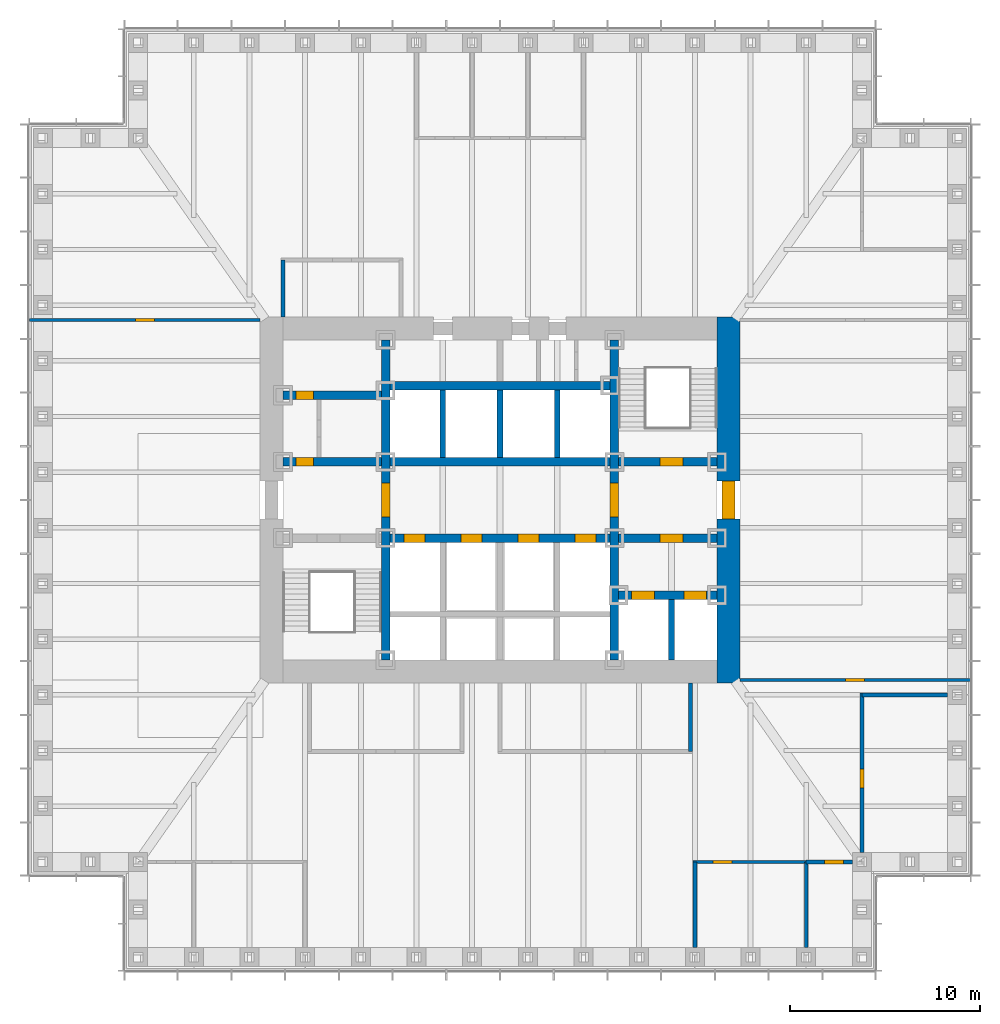
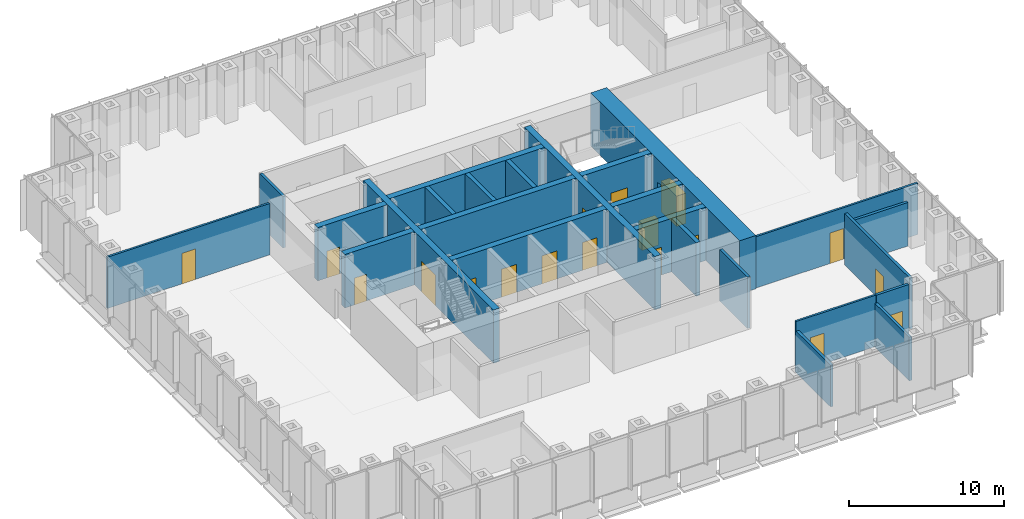
# One storey, part 9 of 16: 25 walls, 18 doors, 18 openings.
"""IFC4 building model written with IfcOpenShell, lengths in metres."""

import ifcopenshell
import ifcopenshell.guid

model = None  # the IFC model being written
_history = None  # IfcOwnerHistory: only IFC2X3 demands one
_inside = {}  # id of a spatial element -> (the spatial element, [elements in it])
_under = {}  # id of a project, library or spatial element -> (it, [spatial elements below it])
_declared = {}  # id of a project -> (the project, [libraries it declares])
_typed = {}  # id of a type object -> (the type object, [elements of that type])
_made_of = {}  # id of a material, layer set ... -> (it, [elements and type objects made of it])


def new_model(schema):
    """Start an empty IFC model of exactly this schema.

    Asked for "IFC4X3", IfcOpenShell would pick the latest addendum, in which some entities
    have other attributes; the version numbers below select the first issue.
    IFC2X3 requires an IfcOwnerHistory on every rooted entity: one is made here for all.
    """
    global model, _history
    if schema == "IFC4X3":
        model = ifcopenshell.file(schema_version=(4, 3, 0, 0))
    else:
        model = ifcopenshell.file(schema=schema)
    _inside.clear()
    _under.clear()
    _declared.clear()
    _typed.clear()
    _made_of.clear()
    _history = None
    if model.schema == "IFC2X3":
        org = make("IfcOrganization", Name="unknown")
        user = make(
            "IfcPersonAndOrganization",
            ThePerson=make("IfcPerson", FamilyName="unknown"),
            TheOrganization=org,
        )
        app = make(
            "IfcApplication",
            ApplicationDeveloper=org,
            Version="unknown",
            ApplicationFullName="unknown",
            ApplicationIdentifier="unknown",
        )
        _history = make(
            "IfcOwnerHistory",
            OwningUser=user,
            OwningApplication=app,
            ChangeAction="ADDED",
            CreationDate=0,
        )
    return model


def make(cls, **values):
    """One entity of the class cls with the attributes given. An attribute that is None is left unset."""
    return model.create_entity(
        cls, **{name: value for name, value in values.items() if value is not None}
    )


def rooted(cls, **values):
    """An entity with a GlobalId (a new one), such as an element, a storey or a relation."""
    return make(cls, GlobalId=ifcopenshell.guid.new(), OwnerHistory=_history, **values)


def si_unit(unit_type, name, prefix=None):
    """IfcSIUnit, for example si_unit("LENGTHUNIT", "METRE", prefix="MILLI")."""
    return make("IfcSIUnit", UnitType=unit_type, Prefix=prefix, Name=name)


def assignment(units):
    """IfcUnitAssignment: the units of a project."""
    return None if units is None else make("IfcUnitAssignment", Units=units)


def point(xyz):
    """IfcCartesianPoint."""
    return None if xyz is None else make("IfcCartesianPoint", Coordinates=xyz)


def direction(xyz):
    """IfcDirection."""
    return None if xyz is None else make("IfcDirection", DirectionRatios=xyz)


def frame(location, z_axis=None, x_axis=None):
    """IfcAxis2Placement3D, a coordinate frame: its origin and axes. An axis left out is left unset."""
    return make(
        "IfcAxis2Placement3D",
        Location=point(location),
        Axis=direction(z_axis),
        RefDirection=direction(x_axis),
    )


def frame_2d(location, x_axis=None):
    """IfcAxis2Placement2D, a coordinate frame in the plane: its origin and x axis."""
    return make(
        "IfcAxis2Placement2D", Location=point(location), RefDirection=direction(x_axis)
    )


def origin():
    """The frame at (0, 0, 0) with its axes left unset."""
    return frame((0.0, 0.0, 0.0))


def place(relative_to, where):
    """IfcLocalPlacement: puts the frame where relative to a parent placement (None: the world)."""
    return make(
        "IfcLocalPlacement", PlacementRelTo=relative_to, RelativePlacement=where
    )


def context(
    kind, dimensions, precision=None, world=None, true_north=None, identifier=None
):
    """IfcGeometricRepresentationContext, for example the 3D "Model" context."""
    return make(
        "IfcGeometricRepresentationContext",
        ContextIdentifier=identifier,
        ContextType=kind,
        CoordinateSpaceDimension=dimensions,
        Precision=precision,
        WorldCoordinateSystem=world,
        TrueNorth=true_north,
    )


def subcontext(parent, identifier, kind, view, scale=None):
    """IfcGeometricRepresentationSubContext, for example "Body" below "Model"."""
    return make(
        "IfcGeometricRepresentationSubContext",
        ContextIdentifier=identifier,
        ContextType=kind,
        ParentContext=parent,
        TargetScale=scale,
        TargetView=view,
    )


def project(units=None, contexts=None):
    """IfcProject with its units and contexts."""
    return rooted(
        "IfcProject",
        Name="project",
        RepresentationContexts=contexts,
        UnitsInContext=assignment(units),
    )


def spatial(cls, under=None, at=None, **own):
    """A site, building, storey or space (cls), placed at a placement, below another one or the project."""
    s = rooted(cls, ObjectPlacement=at, **own)
    if under is not None:
        _under.setdefault(under.id(), (under, []))[1].append(s)
    return s


def profile(cls, at=None, kind="AREA", **sizes):
    """A parametric profile (cls). Its sizes go by their IFC names, for example OverallWidth=200.0."""
    return make(cls, ProfileType=kind, Position=at, **sizes)


def rectangle(**sizes):
    """IfcRectangleProfileDef."""
    return profile("IfcRectangleProfileDef", **sizes)


def extrude(swept, where, along, depth):
    """IfcExtrudedAreaSolid: the profile swept, set in the frame where, extruded along a direction by depth."""
    return make(
        "IfcExtrudedAreaSolid",
        SweptArea=swept,
        Position=where,
        ExtrudedDirection=direction(along),
        Depth=depth,
    )


def shape(context_of_items, identifier, shape_type, items):
    """IfcShapeRepresentation: the items that make up one representation, for example the "Body"."""
    return make(
        "IfcShapeRepresentation",
        ContextOfItems=context_of_items,
        RepresentationIdentifier=identifier,
        RepresentationType=shape_type,
        Items=items,
    )


def material(Name=None, Category=None):
    """IfcMaterial."""
    return make("IfcMaterial", Name=Name, Category=Category)


def layer(
    of_material, thickness, ventilated=None, Name=None, Category=None, Priority=None
):
    """IfcMaterialLayer: one layer of a wall or slab, of a material (None: an air gap)."""
    return make(
        "IfcMaterialLayer",
        Material=of_material,
        LayerThickness=thickness,
        IsVentilated=ventilated,
        Name=Name,
        Category=Category,
        Priority=Priority,
    )


def layer_set(layers, Name=None):
    """IfcMaterialLayerSet."""
    return make("IfcMaterialLayerSet", MaterialLayers=layers, LayerSetName=Name)


def made_of(thing, what):
    """Note that an element or type object is made of a material, layer set ...; save() writes the relation."""
    if what is not None:
        _made_of.setdefault(what.id(), (what, []))[1].append(thing)
    return thing


def type_object(cls, material=None, **own):
    """A type object (cls), such as IfcWallType, which elements share."""
    return made_of(rooted(cls, **own), material)


def element(
    cls,
    number,
    at=None,
    inside=None,
    cuts=None,
    type_object=None,
    material=None,
    context=None,
    identifier="Body",
    shape_type=None,
    held_by="IfcProductDefinitionShape",
    body=None,
    shapes=None,
    **own,
):
    """One element of the class cls, such as IfcWall. Its Tag is "e" and its number.

    at: its placement. inside: the storey or other place that contains it. cuts: it is an
    opening in that element (IfcRelVoidsElement). A single representation is given by context,
    identifier, shape_type and body (its items); several are given by shapes. held_by: the class
    of the entity that holds the representations. save() writes the other relations.
    """
    e = rooted(cls, Tag="e%d" % number, ObjectPlacement=at, **own)
    if body is not None:
        shapes = [shape(context, identifier, shape_type, body)]
    if shapes is not None:
        e.Representation = make(held_by, Representations=shapes)
    if inside is not None:
        _inside.setdefault(inside.id(), (inside, []))[1].append(e)
    if cuts is not None:
        rooted(
            "IfcRelVoidsElement", RelatingBuildingElement=cuts, RelatedOpeningElement=e
        )
    if type_object is not None:
        _typed.setdefault(type_object.id(), (type_object, []))[1].append(e)
    return made_of(e, material)


def fill(opening, filler):
    """IfcRelFillsElement: the door or window that sits in an opening."""
    return rooted(
        "IfcRelFillsElement",
        RelatingOpeningElement=opening,
        RelatedBuildingElement=filler,
    )


def aggregate(whole, parts):
    """IfcRelAggregates: a whole, such as a stair, and the parts it consists of."""
    return rooted("IfcRelAggregates", RelatingObject=whole, RelatedObjects=parts)


def save(model, path):
    """Write the relations noted so far, then the file.

    IfcRelAggregates (storeys below a building ...), IfcRelContainedInSpatialStructure (elements
    in a storey), IfcRelDefinesByType, IfcRelAssociatesMaterial and IfcRelDeclares: one each for
    every whole, place, type object, material and project.
    """
    for whole, parts in _under.values():
        aggregate(whole, parts)
    for where, things in _inside.values():
        rooted(
            "IfcRelContainedInSpatialStructure",
            RelatedElements=things,
            RelatingStructure=where,
        )
    for kind, things in _typed.values():
        rooted("IfcRelDefinesByType", RelatedObjects=things, RelatingType=kind)
    for what, things in _made_of.values():
        rooted("IfcRelAssociatesMaterial", RelatedObjects=things, RelatingMaterial=what)
    for by, libraries in _declared.values():
        rooted("IfcRelDeclares", RelatingContext=by, RelatedDefinitions=libraries)
    model.write(path)


model = new_model("IFC4")

# Units and contexts
model_context = context("Model", 3, precision=1e-05, world=origin(), true_north=direction((0.0, 1.0)))
body_context = subcontext(model_context, "Body", "Model", "MODEL_VIEW")
ifc_project = project(units=[si_unit("LENGTHUNIT", "METRE"), si_unit("AREAUNIT", "SQUARE_METRE"), si_unit("VOLUMEUNIT", "CUBIC_METRE"), si_unit("PLANEANGLEUNIT", "RADIAN"), si_unit("MASSUNIT", "GRAM", prefix="KILO")], contexts=[model_context])

# Site, building, storey
site_placement = place(None, origin())
site = spatial("IfcSite", under=ifc_project, at=site_placement, CompositionType="ELEMENT")
building_placement = place(site_placement, origin())
building = spatial("IfcBuilding", under=site, at=building_placement, Name="Daluyong Arena Tower", CompositionType="ELEMENT")
storey_placement = place(building_placement, frame((0.0, 0.0, 43.300048828125)))
storey = spatial("IfcBuildingStorey", under=building, at=storey_placement, Name="L08", CompositionType="ELEMENT", Elevation=43.300048828125)

# Wall, opening, door
ifc_material_1 = material(Name="Concrete fc' 45 MPa", Category="concrete")
ifc_layer_1 = layer(ifc_material_1, 0.449951171875)
ifc_layer_set_1 = layer_set([ifc_layer_1], Name="Concrete fc' 45 MPa")
wall_type_1 = type_object("IfcWallType", Name="Core inner wall 450", PredefinedType="SHEAR", material=ifc_layer_set_1)
wall_1_placement = place(storey_placement, frame((50.0, 71.60009765625, 0.0), z_axis=(0.0, 0.0, 1.0), x_axis=(0.0, 1.0, 0.0)))
wall_1 = element("IfcWall", 1, at=wall_1_placement, inside=storey, type_object=wall_type_1, Name="core inner wall at L08", PredefinedType="SHEAR", context=body_context, shape_type="SweptSolid", body=[
    extrude(rectangle(XDim=16.7998046875, YDim=0.449951171875, at=frame_2d((8.39990234375, 0.0))), origin(), (0.0, 0.0, 1.0), 4.199951171875),
])
opening_1_placement = place(wall_1_placement, frame((7.5, 0.0, 0.0)))
opening_1 = element("IfcOpeningElement", 2, at=opening_1_placement, cuts=wall_1, Name="Opening 08012", PredefinedType="OPENING", context=body_context, shape_type="SweptSolid", body=[
    extrude(rectangle(XDim=1.800048828125, YDim=2.39990234375, at=frame_2d((0.89990234375, 1.199951171875))), frame((0.0, 0.23486328125, 0.0), z_axis=(0.0, -1.0, 0.0), x_axis=(1.0, 0.0, 0.0)), (0.0, 0.0, 1.0), 0.469970703125),
])
ifc_material_2 = material(Name="Steel door, fire rated", Category="steel")
door_type_1 = type_object("IfcDoorType", Name="Lift lobby opening door 1800", OperationType="DOUBLE_DOOR_SINGLE_SWING", PredefinedType="DOOR", material=ifc_material_2)
door_1_placement = place(opening_1_placement, origin())
door_1 = element("IfcDoor", 3, at=door_1_placement, inside=storey, type_object=door_type_1, Name="lift lobby door west 08012", OperationType="DOUBLE_DOOR_SINGLE_SWING", OverallHeight=2.39990234375, OverallWidth=1.800048828125, PredefinedType="DOOR", context=body_context, shape_type="SweptSolid", body=[
    extrude(rectangle(XDim=1.800048828125, YDim=2.39990234375, at=frame_2d((0.89990234375, 1.199951171875))), frame((0.0, 0.224609375, 0.0), z_axis=(0.0, -1.0, 0.0), x_axis=(1.0, 0.0, 0.0)), (0.0, 0.0, 1.0), 0.449462890625),
])
fill(opening_1, door_1)

wall_2_placement = place(storey_placement, frame((62.0, 71.60009765625, 0.0), z_axis=(0.0, 0.0, 1.0), x_axis=(0.0, 1.0, 0.0)))
wall_2 = element("IfcWall", 4, at=wall_2_placement, inside=storey, type_object=wall_type_1, Name="core inner wall at L08", PredefinedType="SHEAR", context=body_context, shape_type="SweptSolid", body=[
    extrude(rectangle(XDim=16.7998046875, YDim=0.449951171875, at=frame_2d((8.39990234375, 0.0))), origin(), (0.0, 0.0, 1.0), 4.199951171875),
])
opening_2_placement = place(wall_2_placement, frame((7.5, 0.0, 0.0)))
opening_2 = element("IfcOpeningElement", 5, at=opening_2_placement, cuts=wall_2, Name="Opening 08013", PredefinedType="OPENING", context=body_context, shape_type="SweptSolid", body=[
    extrude(rectangle(XDim=1.800048828125, YDim=2.39990234375, at=frame_2d((0.89990234375, 1.199951171875))), frame((0.0, 0.23486328125, 0.0), z_axis=(0.0, -1.0, 0.0), x_axis=(1.0, 0.0, 0.0)), (0.0, 0.0, 1.0), 0.469970703125),
])
door_2_placement = place(opening_2_placement, origin())
door_2 = element("IfcDoor", 6, at=door_2_placement, inside=storey, type_object=door_type_1, Name="lift lobby door east 08013", OperationType="DOUBLE_DOOR_SINGLE_SWING", OverallHeight=2.39990234375, OverallWidth=1.800048828125, PredefinedType="DOOR", context=body_context, shape_type="SweptSolid", body=[
    extrude(rectangle(XDim=1.800048828125, YDim=2.39990234375, at=frame_2d((0.89990234375, 1.199951171875))), frame((0.0, 0.224609375, 0.0), z_axis=(0.0, -1.0, 0.0), x_axis=(1.0, 0.0, 0.0)), (0.0, 0.0, 1.0), 0.449462890625),
])
fill(opening_2, door_2)

wall_3_placement = place(storey_placement, frame((44.60009765625, 82.0, 0.0), z_axis=(0.0, 0.0, 1.0), x_axis=(1.0, 0.0, 0.0)))
wall_3 = element("IfcWall", 7, at=wall_3_placement, inside=storey, type_object=wall_type_1, Name="core inner wall at L08", PredefinedType="SHEAR", context=body_context, shape_type="SweptSolid", body=[
    extrude(rectangle(XDim=5.1748046875, YDim=0.449951171875, at=frame_2d((2.58740234375, 0.0))), origin(), (0.0, 0.0, 1.0), 4.199951171875),
])
opening_3_placement = place(wall_3_placement, frame((0.699951171875, 0.0, 0.0)))
opening_3 = element("IfcOpeningElement", 8, at=opening_3_placement, cuts=wall_3, Name="Opening 08001", PredefinedType="OPENING", context=body_context, shape_type="SweptSolid", body=[
    extrude(rectangle(XDim=0.89990234375, YDim=2.10009765625, at=frame_2d((0.449951171875, 1.050048828125))), frame((0.0, 0.23486328125, 0.0), z_axis=(0.0, -1.0, 0.0), x_axis=(1.0, 0.0, 0.0)), (0.0, 0.0, 1.0), 0.469970703125),
])
ifc_material_3 = material(Name="Steel door, fire rated", Category="steel")
door_type_2 = type_object("IfcDoorType", Name="Core room door 900", OperationType="SINGLE_SWING_LEFT", PredefinedType="DOOR", material=ifc_material_3)
door_3_placement = place(opening_3_placement, origin())
door_3 = element("IfcDoor", 9, at=door_3_placement, inside=storey, type_object=door_type_2, Name="toilet lobby door 08001", OperationType="SINGLE_SWING_LEFT", OverallHeight=2.10009765625, OverallWidth=0.89990234375, PredefinedType="DOOR", context=body_context, shape_type="SweptSolid", body=[
    extrude(rectangle(XDim=0.89990234375, YDim=2.10009765625, at=frame_2d((0.449951171875, 1.050048828125))), frame((0.0, 0.224609375, 0.0), z_axis=(0.0, -1.0, 0.0), x_axis=(1.0, 0.0, 0.0)), (0.0, 0.0, 1.0), 0.449462890625),
])
fill(opening_3, door_3)

wall_4_placement = place(storey_placement, frame((44.60009765625, 85.5, 0.0), z_axis=(0.0, 0.0, 1.0), x_axis=(1.0, 0.0, 0.0)))
wall_4 = element("IfcWall", 10, at=wall_4_placement, inside=storey, type_object=wall_type_1, Name="core inner wall at L08", PredefinedType="SHEAR", context=body_context, shape_type="SweptSolid", body=[
    extrude(rectangle(XDim=5.1748046875, YDim=0.449951171875, at=frame_2d((2.58740234375, 0.0))), origin(), (0.0, 0.0, 1.0), 4.199951171875),
])
opening_4_placement = place(wall_4_placement, frame((0.699951171875, 0.0, 0.0)))
opening_4 = element("IfcOpeningElement", 11, at=opening_4_placement, cuts=wall_4, Name="Opening 08003", PredefinedType="OPENING", context=body_context, shape_type="SweptSolid", body=[
    extrude(rectangle(XDim=0.89990234375, YDim=2.10009765625, at=frame_2d((0.449951171875, 1.050048828125))), frame((0.0, 0.23486328125, 0.0), z_axis=(0.0, -1.0, 0.0), x_axis=(1.0, 0.0, 0.0)), (0.0, 0.0, 1.0), 0.469970703125),
])
ifc_material_4 = material(Name="Timber door", Category="wood")
door_type_3 = type_object("IfcDoorType", Name="Toilet door 900", OperationType="SINGLE_SWING_RIGHT", PredefinedType="DOOR", material=ifc_material_4)
door_4_placement = place(opening_4_placement, origin())
door_4 = element("IfcDoor", 12, at=door_4_placement, inside=storey, type_object=door_type_3, Name="female toilet door 08003", OperationType="SINGLE_SWING_RIGHT", OverallHeight=2.10009765625, OverallWidth=0.89990234375, PredefinedType="DOOR", context=body_context, shape_type="SweptSolid", body=[
    extrude(rectangle(XDim=0.89990234375, YDim=2.10009765625, at=frame_2d((0.449951171875, 1.050048828125))), frame((0.0, 0.224609375, 0.0), z_axis=(0.0, -1.0, 0.0), x_axis=(1.0, 0.0, 0.0)), (0.0, 0.0, 1.0), 0.449462890625),
])
fill(opening_4, door_4)

# Wall, openings, doors
wall_5_placement = place(storey_placement, frame((62.22509765625, 75.0, 0.0), z_axis=(0.0, 0.0, 1.0), x_axis=(1.0, 0.0, 0.0)))
wall_5 = element("IfcWall", 13, at=wall_5_placement, inside=storey, type_object=wall_type_1, Name="core inner wall at L08", PredefinedType="SHEAR", context=body_context, shape_type="SweptSolid", body=[
    extrude(rectangle(XDim=5.1748046875, YDim=0.449951171875, at=frame_2d((2.58740234375, 0.0))), origin(), (0.0, 0.0, 1.0), 4.199951171875),
])
opening_5_placement = place(wall_5_placement, frame((0.675048828125, 0.0, 0.0)))
opening_5 = element("IfcOpeningElement", 14, at=opening_5_placement, cuts=wall_5, Name="Opening 08019", PredefinedType="OPENING", context=body_context, shape_type="SweptSolid", body=[
    extrude(rectangle(XDim=1.199951171875, YDim=2.199951171875, at=frame_2d((0.60009765625, 1.10009765625))), frame((0.0, 0.23486328125, 0.0), z_axis=(0.0, -1.0, 0.0), x_axis=(1.0, 0.0, 0.0)), (0.0, 0.0, 1.0), 0.469970703125),
])
opening_6_placement = place(wall_5_placement, frame((3.425048828125, 0.0, 0.0)))
opening_6 = element("IfcOpeningElement", 15, at=opening_6_placement, cuts=wall_5, Name="Opening 08020", PredefinedType="OPENING", context=body_context, shape_type="SweptSolid", body=[
    extrude(rectangle(XDim=1.199951171875, YDim=2.199951171875, at=frame_2d((0.60009765625, 1.10009765625))), frame((0.0, 0.23486328125, 0.0), z_axis=(0.0, -1.0, 0.0), x_axis=(1.0, 0.0, 0.0)), (0.0, 0.0, 1.0), 0.469970703125),
])
ifc_material_5 = material(Name="Steel door, fire rated", Category="steel")
door_type_4 = type_object("IfcDoorType", Name="Firefighting lift landing door 1200", OperationType="SLIDING_TO_LEFT", PredefinedType="DOOR", material=ifc_material_5)
door_5_placement = place(opening_5_placement, origin())
door_5 = element("IfcDoor", 16, at=door_5_placement, inside=storey, type_object=door_type_4, Name="firefighting lift landing door F1 08019", OperationType="SLIDING_TO_LEFT", OverallHeight=2.199951171875, OverallWidth=1.199951171875, PredefinedType="DOOR", context=body_context, shape_type="SweptSolid", body=[
    extrude(rectangle(XDim=1.199951171875, YDim=2.199951171875, at=frame_2d((0.60009765625, 1.10009765625))), frame((0.0, 0.224609375, 0.0), z_axis=(0.0, -1.0, 0.0), x_axis=(1.0, 0.0, 0.0)), (0.0, 0.0, 1.0), 0.449462890625),
])
fill(opening_5, door_5)
door_6_placement = place(opening_6_placement, origin())
door_6 = element("IfcDoor", 17, at=door_6_placement, inside=storey, type_object=door_type_4, Name="firefighting lift landing door F2 08020", OperationType="SLIDING_TO_LEFT", OverallHeight=2.199951171875, OverallWidth=1.199951171875, PredefinedType="DOOR", context=body_context, shape_type="SweptSolid", body=[
    extrude(rectangle(XDim=1.199951171875, YDim=2.199951171875, at=frame_2d((0.60009765625, 1.10009765625))), frame((0.0, 0.224609375, 0.0), z_axis=(0.0, -1.0, 0.0), x_axis=(1.0, 0.0, 0.0)), (0.0, 0.0, 1.0), 0.449462890625),
])
fill(opening_6, door_6)

# Wall, opening, door
wall_6_placement = place(storey_placement, frame((62.22509765625, 78.0, 0.0), z_axis=(0.0, 0.0, 1.0), x_axis=(1.0, 0.0, 0.0)))
wall_6 = element("IfcWall", 18, at=wall_6_placement, inside=storey, type_object=wall_type_1, Name="core inner wall at L08", PredefinedType="SHEAR", context=body_context, shape_type="SweptSolid", body=[
    extrude(rectangle(XDim=5.1748046875, YDim=0.449951171875, at=frame_2d((2.58740234375, 0.0))), origin(), (0.0, 0.0, 1.0), 4.199951171875),
])
opening_7_placement = place(wall_6_placement, frame((2.175048828125, 0.0, 0.0)))
opening_7 = element("IfcOpeningElement", 19, at=opening_7_placement, cuts=wall_6, Name="Opening 08014", PredefinedType="OPENING", context=body_context, shape_type="SweptSolid", body=[
    extrude(rectangle(XDim=1.199951171875, YDim=2.10009765625, at=frame_2d((0.60009765625, 1.050048828125))), frame((0.0, 0.23486328125, 0.0), z_axis=(0.0, -1.0, 0.0), x_axis=(1.0, 0.0, 0.0)), (0.0, 0.0, 1.0), 0.469970703125),
])
ifc_material_6 = material(Name="Steel door, fire rated", Category="steel")
door_type_5 = type_object("IfcDoorType", Name="Firefighting lobby door 1200", OperationType="SINGLE_SWING_RIGHT", PredefinedType="DOOR", material=ifc_material_6)
door_7_placement = place(opening_7_placement, origin())
door_7 = element("IfcDoor", 20, at=door_7_placement, inside=storey, type_object=door_type_5, Name="firefighting lobby door 08014", OperationType="SINGLE_SWING_RIGHT", OverallHeight=2.10009765625, OverallWidth=1.199951171875, PredefinedType="DOOR", context=body_context, shape_type="SweptSolid", body=[
    extrude(rectangle(XDim=1.199951171875, YDim=2.10009765625, at=frame_2d((0.60009765625, 1.050048828125))), frame((0.0, 0.224609375, 0.0), z_axis=(0.0, -1.0, 0.0), x_axis=(1.0, 0.0, 0.0)), (0.0, 0.0, 1.0), 0.449462890625),
])
fill(opening_7, door_7)

wall_7_placement = place(storey_placement, frame((62.22509765625, 82.0, 0.0), z_axis=(0.0, 0.0, 1.0), x_axis=(1.0, 0.0, 0.0)))
wall_7 = element("IfcWall", 21, at=wall_7_placement, inside=storey, type_object=wall_type_1, Name="core inner wall at L08", PredefinedType="SHEAR", context=body_context, shape_type="SweptSolid", body=[
    extrude(rectangle(XDim=5.1748046875, YDim=0.449951171875, at=frame_2d((2.58740234375, 0.0))), origin(), (0.0, 0.0, 1.0), 4.199951171875),
])
opening_8_placement = place(wall_7_placement, frame((2.175048828125, 0.0, 0.0)))
opening_8 = element("IfcOpeningElement", 22, at=opening_8_placement, cuts=wall_7, Name="Opening 08009", PredefinedType="OPENING", context=body_context, shape_type="SweptSolid", body=[
    extrude(rectangle(XDim=1.199951171875, YDim=2.10009765625, at=frame_2d((0.60009765625, 1.050048828125))), frame((0.0, 0.23486328125, 0.0), z_axis=(0.0, -1.0, 0.0), x_axis=(1.0, 0.0, 0.0)), (0.0, 0.0, 1.0), 0.469970703125),
])
ifc_material_7 = material(Name="Steel door, fire rated", Category="steel")
door_type_6 = type_object("IfcDoorType", Name="Stair door 1200", OperationType="SINGLE_SWING_LEFT", PredefinedType="DOOR", material=ifc_material_7)
door_8_placement = place(opening_8_placement, origin())
door_8 = element("IfcDoor", 23, at=door_8_placement, inside=storey, type_object=door_type_6, Name="stair B door 08009", OperationType="SINGLE_SWING_LEFT", OverallHeight=2.10009765625, OverallWidth=1.199951171875, PredefinedType="DOOR", context=body_context, shape_type="SweptSolid", body=[
    extrude(rectangle(XDim=1.199951171875, YDim=2.10009765625, at=frame_2d((0.60009765625, 1.050048828125))), frame((0.0, 0.224609375, 0.0), z_axis=(0.0, -1.0, 0.0), x_axis=(1.0, 0.0, 0.0)), (0.0, 0.0, 1.0), 0.449462890625),
])
fill(opening_8, door_8)

# Wall, openings, doors
wall_8_placement = place(storey_placement, frame((50.22509765625, 78.0, 0.0), z_axis=(0.0, 0.0, 1.0), x_axis=(1.0, 0.0, 0.0)))
wall_8 = element("IfcWall", 24, at=wall_8_placement, inside=storey, type_object=wall_type_1, Name="core inner wall at L08", PredefinedType="SHEAR", context=body_context, shape_type="SweptSolid", body=[
    extrude(rectangle(XDim=11.5498046875, YDim=0.449951171875, at=frame_2d((5.77490234375, 0.0))), origin(), (0.0, 0.0, 1.0), 4.199951171875),
])
opening_9_placement = place(wall_8_placement, frame((0.72509765625, 0.0, 0.0)))
opening_9 = element("IfcOpeningElement", 25, at=opening_9_placement, cuts=wall_8, Name="Opening 08015", PredefinedType="OPENING", context=body_context, shape_type="SweptSolid", body=[
    extrude(rectangle(XDim=1.10009765625, YDim=2.199951171875, at=frame_2d((0.550048828125, 1.10009765625))), frame((0.0, 0.23486328125, 0.0), z_axis=(0.0, -1.0, 0.0), x_axis=(1.0, 0.0, 0.0)), (0.0, 0.0, 1.0), 0.469970703125),
])
opening_10_placement = place(wall_8_placement, frame((3.72509765625, 0.0, 0.0)))
opening_10 = element("IfcOpeningElement", 26, at=opening_10_placement, cuts=wall_8, Name="Opening 08016", PredefinedType="OPENING", context=body_context, shape_type="SweptSolid", body=[
    extrude(rectangle(XDim=1.10009765625, YDim=2.199951171875, at=frame_2d((0.550048828125, 1.10009765625))), frame((0.0, 0.23486328125, 0.0), z_axis=(0.0, -1.0, 0.0), x_axis=(1.0, 0.0, 0.0)), (0.0, 0.0, 1.0), 0.469970703125),
])
opening_11_placement = place(wall_8_placement, frame((6.72509765625, 0.0, 0.0)))
opening_11 = element("IfcOpeningElement", 27, at=opening_11_placement, cuts=wall_8, Name="Opening 08017", PredefinedType="OPENING", context=body_context, shape_type="SweptSolid", body=[
    extrude(rectangle(XDim=1.10009765625, YDim=2.199951171875, at=frame_2d((0.550048828125, 1.10009765625))), frame((0.0, 0.23486328125, 0.0), z_axis=(0.0, -1.0, 0.0), x_axis=(1.0, 0.0, 0.0)), (0.0, 0.0, 1.0), 0.469970703125),
])
opening_12_placement = place(wall_8_placement, frame((9.72509765625, 0.0, 0.0)))
opening_12 = element("IfcOpeningElement", 28, at=opening_12_placement, cuts=wall_8, Name="Opening 08018", PredefinedType="OPENING", context=body_context, shape_type="SweptSolid", body=[
    extrude(rectangle(XDim=1.10009765625, YDim=2.199951171875, at=frame_2d((0.550048828125, 1.10009765625))), frame((0.0, 0.23486328125, 0.0), z_axis=(0.0, -1.0, 0.0), x_axis=(1.0, 0.0, 0.0)), (0.0, 0.0, 1.0), 0.469970703125),
])
ifc_material_8 = material(Name="Steel door, fire rated", Category="steel")
door_type_7 = type_object("IfcDoorType", Name="Lift landing door 1100", OperationType="SLIDING_TO_LEFT", PredefinedType="DOOR", material=ifc_material_8)
door_9_placement = place(opening_9_placement, origin())
door_9 = element("IfcDoor", 29, at=door_9_placement, inside=storey, type_object=door_type_7, Name="lift landing door A1 08015", OperationType="SLIDING_TO_LEFT", OverallHeight=2.199951171875, OverallWidth=1.10009765625, PredefinedType="DOOR", context=body_context, shape_type="SweptSolid", body=[
    extrude(rectangle(XDim=1.10009765625, YDim=2.199951171875, at=frame_2d((0.550048828125, 1.10009765625))), frame((0.0, 0.224609375, 0.0), z_axis=(0.0, -1.0, 0.0), x_axis=(1.0, 0.0, 0.0)), (0.0, 0.0, 1.0), 0.449462890625),
])
fill(opening_9, door_9)
door_10_placement = place(opening_10_placement, origin())
door_10 = element("IfcDoor", 30, at=door_10_placement, inside=storey, type_object=door_type_7, Name="lift landing door A2 08016", OperationType="SLIDING_TO_LEFT", OverallHeight=2.199951171875, OverallWidth=1.10009765625, PredefinedType="DOOR", context=body_context, shape_type="SweptSolid", body=[
    extrude(rectangle(XDim=1.10009765625, YDim=2.199951171875, at=frame_2d((0.550048828125, 1.10009765625))), frame((0.0, 0.224609375, 0.0), z_axis=(0.0, -1.0, 0.0), x_axis=(1.0, 0.0, 0.0)), (0.0, 0.0, 1.0), 0.449462890625),
])
fill(opening_10, door_10)
door_11_placement = place(opening_11_placement, origin())
door_11 = element("IfcDoor", 31, at=door_11_placement, inside=storey, type_object=door_type_7, Name="lift landing door A3 08017", OperationType="SLIDING_TO_LEFT", OverallHeight=2.199951171875, OverallWidth=1.10009765625, PredefinedType="DOOR", context=body_context, shape_type="SweptSolid", body=[
    extrude(rectangle(XDim=1.10009765625, YDim=2.199951171875, at=frame_2d((0.550048828125, 1.10009765625))), frame((0.0, 0.224609375, 0.0), z_axis=(0.0, -1.0, 0.0), x_axis=(1.0, 0.0, 0.0)), (0.0, 0.0, 1.0), 0.449462890625),
])
fill(opening_11, door_11)
door_12_placement = place(opening_12_placement, origin())
door_12 = element("IfcDoor", 32, at=door_12_placement, inside=storey, type_object=door_type_7, Name="lift landing door A4 08018", OperationType="SLIDING_TO_LEFT", OverallHeight=2.199951171875, OverallWidth=1.10009765625, PredefinedType="DOOR", context=body_context, shape_type="SweptSolid", body=[
    extrude(rectangle(XDim=1.10009765625, YDim=2.199951171875, at=frame_2d((0.550048828125, 1.10009765625))), frame((0.0, 0.224609375, 0.0), z_axis=(0.0, -1.0, 0.0), x_axis=(1.0, 0.0, 0.0)), (0.0, 0.0, 1.0), 0.449462890625),
])
fill(opening_12, door_12)

# Walls
for number, where, z_axis, x_axis, name in (
    (33, (50.22509765625, 82.0, 0.0), (0.0, 0.0, 1.0), (1.0, 0.0, 0.0), "core inner wall at L08"),
    (34, (50.22509765625, 86.0, 0.0), (0.0, 0.0, 1.0), (1.0, 0.0, 0.0), "core inner wall at L08"),
):
    element("IfcWall", number, at=place(storey_placement, frame(where, z_axis=z_axis, x_axis=x_axis)), inside=storey, type_object=wall_type_1, Name=name, PredefinedType="SHEAR", context=body_context, shape_type="SweptSolid", body=[
        extrude(rectangle(XDim=11.5498046875, YDim=0.449951171875, at=frame_2d((5.77490234375, 0.0))), origin(), (0.0, 0.0, 1.0), 4.199951171875),
    ])

# Wall, opening, door
ifc_material_9 = material(Name="Concrete fc' 60 MPa", Category="concrete")
ifc_layer_2 = layer(ifc_material_9, 1.199951171875)
ifc_layer_set_2 = layer_set([ifc_layer_2], Name="Concrete fc' 60 MPa")
wall_type_2 = type_object("IfcWallType", Name="Core wall 1200", PredefinedType="SHEAR", material=ifc_layer_set_2)
wall_9_placement = place(storey_placement, frame((68.0, 70.39990234375, 0.0), z_axis=(0.0, 0.0, 1.0), x_axis=(0.0, 1.0, 0.0)))
wall_9 = element("IfcWall", 35, at=wall_9_placement, inside=storey, type_object=wall_type_2, Name="core wall at L08", PredefinedType="SHEAR", context=body_context, shape_type="SweptSolid", body=[
    extrude(rectangle(XDim=19.2001953125, YDim=1.199951171875, at=frame_2d((9.60009765625, 0.0))), origin(), (0.0, 0.0, 1.0), 4.199951171875),
])
opening_13_placement = place(wall_9_placement, frame((8.60009765625, 0.0, 0.0)))
opening_13 = element("IfcOpeningElement", 36, at=opening_13_placement, cuts=wall_9, Name="Opening 08011", PredefinedType="OPENING", context=body_context, shape_type="SweptSolid", body=[
    extrude(rectangle(XDim=2.0, YDim=2.39990234375, at=frame_2d((1.0, 1.199951171875))), frame((0.0, 0.60986328125, 0.0), z_axis=(0.0, -1.0, 0.0), x_axis=(1.0, 0.0, 0.0)), (0.0, 0.0, 1.0), 1.219970703125),
])
ifc_material_10 = material(Name="Steel door, fire rated", Category="steel")
door_type_8 = type_object("IfcDoorType", Name="Core lobby double door 2000", OperationType="DOUBLE_DOOR_SINGLE_SWING", PredefinedType="DOOR", material=ifc_material_10)
door_13_placement = place(opening_13_placement, origin())
door_13 = element("IfcDoor", 37, at=door_13_placement, inside=storey, type_object=door_type_8, Name="core lobby door east 08011", OperationType="DOUBLE_DOOR_SINGLE_SWING", OverallHeight=2.39990234375, OverallWidth=2.0, PredefinedType="DOOR", context=body_context, shape_type="SweptSolid", body=[
    extrude(rectangle(XDim=2.0, YDim=2.39990234375, at=frame_2d((1.0, 1.199951171875))), frame((0.0, 0.35009765625, 0.0), z_axis=(0.0, -1.0, 0.0), x_axis=(1.0, 0.0, 0.0)), (0.0, 0.0, 1.0), 0.699951171875),
])
fill(opening_13, door_13)

ifc_material_11 = material(Name="Glazed aluminium partition", Category="aluminium")
ifc_layer_3 = layer(ifc_material_11, 0.14990234375)
ifc_layer_set_3 = layer_set([ifc_layer_3], Name="Glazed aluminium partition")
wall_type_3 = type_object("IfcWallType", Name="Glazed partition 150", PredefinedType="PARTITIONING", material=ifc_layer_set_3)
wall_10_placement = place(storey_placement, frame((66.130859375, 61.0, 0.0), z_axis=(0.0, 0.0, 1.0), x_axis=(1.0, 0.0, 0.0)))
wall_10 = element("IfcWall", 38, at=wall_10_placement, inside=storey, type_object=wall_type_3, Name="glazed partition at L08", PredefinedType="PARTITIONING", context=body_context, shape_type="SweptSolid", body=[
    extrude(rectangle(XDim=5.946044921875, YDim=0.14990234375, at=frame_2d((2.97314453125, 0.0))), origin(), (0.0, 0.0, 1.0), 4.0400390625),
])
opening_14_placement = place(wall_10_placement, frame((1.0615234375, 0.0, 0.0)))
opening_14 = element("IfcOpeningElement", 39, at=opening_14_placement, cuts=wall_10, Name="Opening 08023", PredefinedType="OPENING", context=body_context, shape_type="SweptSolid", body=[
    extrude(rectangle(XDim=1.0, YDim=2.39990234375, at=frame_2d((0.5, 1.199951171875))), frame((0.0, 0.0849609375, 0.0), z_axis=(0.0, -1.0, 0.0), x_axis=(1.0, 0.0, 0.0)), (0.0, 0.0, 1.0), 0.169921875),
])
ifc_material_12 = material(Name="Glazed aluminium door", Category="aluminium")
door_type_9 = type_object("IfcDoorType", Name="Meeting room glazed door 1000", OperationType="SINGLE_SWING_RIGHT", PredefinedType="DOOR", material=ifc_material_12)
door_14_placement = place(opening_14_placement, origin())
door_14 = element("IfcDoor", 40, at=door_14_placement, inside=storey, type_object=door_type_9, Name="meeting room door 08023", OperationType="SINGLE_SWING_RIGHT", OverallHeight=2.39990234375, OverallWidth=1.0, PredefinedType="DOOR", context=body_context, shape_type="SweptSolid", body=[
    extrude(rectangle(XDim=1.0, YDim=2.39990234375, at=frame_2d((0.5, 1.199951171875))), frame((0.0, 0.07470703125, 0.0), z_axis=(0.0, -1.0, 0.0), x_axis=(1.0, 0.0, 0.0)), (0.0, 0.0, 1.0), 0.1494140625),
])
fill(opening_14, door_14)

wall_11_placement = place(storey_placement, frame((68.60009765625, 70.550048828125, 0.0), z_axis=(0.0, 0.0, 1.0), x_axis=(1.0, 0.0, 0.0)))
wall_11 = element("IfcWall", 41, at=wall_11_placement, inside=storey, type_object=wall_type_3, Name="glazed partition at L08", PredefinedType="PARTITIONING", context=body_context, shape_type="SweptSolid", body=[
    extrude(rectangle(XDim=12.08984375, YDim=0.14990234375, at=frame_2d((6.044921875, 0.0))), origin(), (0.0, 0.0, 1.0), 4.0400390625),
])
opening_15_placement = place(wall_11_placement, frame((5.544921875, 0.0, 0.0)))
opening_15 = element("IfcOpeningElement", 42, at=opening_15_placement, cuts=wall_11, Name="Opening 08034", PredefinedType="OPENING", context=body_context, shape_type="SweptSolid", body=[
    extrude(rectangle(XDim=1.0, YDim=2.39990234375, at=frame_2d((0.5, 1.199951171875))), frame((0.0, 0.0849609375, 0.0), z_axis=(0.0, -1.0, 0.0), x_axis=(1.0, 0.0, 0.0)), (0.0, 0.0, 1.0), 0.169921875),
])
door_15_placement = place(opening_15_placement, origin())
door_15 = element("IfcDoor", 43, at=door_15_placement, inside=storey, type_object=door_type_9, Name="team area screen door 08034", OperationType="SINGLE_SWING_RIGHT", OverallHeight=2.39990234375, OverallWidth=1.0, PredefinedType="DOOR", context=body_context, shape_type="SweptSolid", body=[
    extrude(rectangle(XDim=1.0, YDim=2.39990234375, at=frame_2d((0.5, 1.199951171875))), frame((0.0, 0.07470703125, 0.0), z_axis=(0.0, -1.0, 0.0), x_axis=(1.0, 0.0, 0.0)), (0.0, 0.0, 1.0), 0.1494140625),
])
fill(opening_15, door_15)

wall_12_placement = place(storey_placement, frame((31.31005859375, 89.449951171875, 0.0), z_axis=(0.0, 0.0, 1.0), x_axis=(1.0, 0.0, 0.0)))
wall_12 = element("IfcWall", 44, at=wall_12_placement, inside=storey, type_object=wall_type_3, Name="glazed partition at L08", PredefinedType="PARTITIONING", context=body_context, shape_type="SweptSolid", body=[
    extrude(rectangle(XDim=12.08984375, YDim=0.14990234375, at=frame_2d((6.044921875, 0.0))), origin(), (0.0, 0.0, 1.0), 4.0400390625),
])
opening_16_placement = place(wall_12_placement, frame((5.544921875, 0.0, 0.0)))
opening_16 = element("IfcOpeningElement", 45, at=opening_16_placement, cuts=wall_12, Name="Opening 08033", PredefinedType="OPENING", context=body_context, shape_type="SweptSolid", body=[
    extrude(rectangle(XDim=1.0, YDim=2.39990234375, at=frame_2d((0.5, 1.199951171875))), frame((0.0, 0.0849609375, 0.0), z_axis=(0.0, -1.0, 0.0), x_axis=(1.0, 0.0, 0.0)), (0.0, 0.0, 1.0), 0.169921875),
])
door_16_placement = place(opening_16_placement, origin())
door_16 = element("IfcDoor", 46, at=door_16_placement, inside=storey, type_object=door_type_9, Name="team area screen door 08033", OperationType="SINGLE_SWING_RIGHT", OverallHeight=2.39990234375, OverallWidth=1.0, PredefinedType="DOOR", context=body_context, shape_type="SweptSolid", body=[
    extrude(rectangle(XDim=1.0, YDim=2.39990234375, at=frame_2d((0.5, 1.199951171875))), frame((0.0, 0.07470703125, 0.0), z_axis=(0.0, -1.0, 0.0), x_axis=(1.0, 0.0, 0.0)), (0.0, 0.0, 1.0), 0.1494140625),
])
fill(opening_16, door_16)

# Walls
ifc_material_13 = material(Name="Concrete fc' 45 MPa", Category="concrete")
ifc_layer_4 = layer(ifc_material_13, 0.300048828125)
ifc_layer_set_4 = layer_set([ifc_layer_4], Name="Concrete fc' 45 MPa")
wall_type_4 = type_object("IfcWallType", Name="Lift shaft wall 300", PredefinedType="SHEAR", material=ifc_layer_set_4)
for number, where, z_axis, x_axis, name in (
    (47, (53.0, 82.22509765625, 0.0), (0.0, 0.0, 1.0), (0.0, 1.0, 0.0), "lift shaft wall at L08"),
    (48, (56.0, 82.22509765625, 0.0), (0.0, 0.0, 1.0), (0.0, 1.0, 0.0), "lift shaft wall at L08"),
    (49, (59.0, 82.22509765625, 0.0), (0.0, 0.0, 1.0), (0.0, 1.0, 0.0), "lift shaft wall at L08"),
):
    element("IfcWall", number, at=place(storey_placement, frame(where, z_axis=z_axis, x_axis=x_axis)), inside=storey, type_object=wall_type_4, Name=name, PredefinedType="SHEAR", context=body_context, shape_type="SweptSolid", body=[
        extrude(rectangle(XDim=3.5498046875, YDim=0.300048828125, at=frame_2d((1.77490234375, 0.0))), origin(), (0.0, 0.0, 1.0), 4.199951171875),
    ])
wall_13_placement = place(storey_placement, frame((65.0, 71.60009765625, 0.0), z_axis=(0.0, 0.0, 1.0), x_axis=(0.0, 1.0, 0.0)))
element("IfcWall", 50, at=wall_13_placement, inside=storey, type_object=wall_type_4, Name="lift shaft wall at L08", PredefinedType="SHEAR", context=body_context, shape_type="SweptSolid", body=[
    extrude(rectangle(XDim=3.1748046875, YDim=0.300048828125, at=frame_2d((1.58740234375, 0.0))), origin(), (0.0, 0.0, 1.0), 4.199951171875),
])
ifc_material_14 = material(Name="Concrete block partition", Category="concrete")
ifc_layer_5 = layer(ifc_material_14, 0.199951171875)
ifc_layer_set_5 = layer_set([ifc_layer_5], Name="Concrete block partition")
wall_type_5 = type_object("IfcWallType", Name="Partition 200", PredefinedType="PARTITIONING", material=ifc_layer_set_5)
wall_14_placement = place(storey_placement, frame((66.230712890625, 56.5, 0.0), z_axis=(0.0, 0.0, 1.0), x_axis=(0.0, 1.0, 0.0)))
element("IfcWall", 51, at=wall_14_placement, inside=storey, type_object=wall_type_5, Name="partition at L08", PredefinedType="PARTITIONING", context=body_context, shape_type="SweptSolid", body=[
    extrude(rectangle(XDim=4.5, YDim=0.199951171875, at=frame_2d((2.25, 0.0))), origin(), (0.0, 0.0, 1.0), 3.27783203125),
])
for number, where, z_axis, x_axis, name in (
    (52, (72.076904296875, 56.5, 0.0), (0.0, 0.0, 1.0), (0.0, 1.0, 0.0), "partition at L08"),
    (53, (75.0, 69.769287109375, 0.0), (0.0, 0.0, 1.0), (1.0, 0.0, 0.0), "partition at L08"),
):
    element("IfcWall", number, at=place(storey_placement, frame(where, z_axis=z_axis, x_axis=x_axis)), inside=storey, type_object=wall_type_5, Name=name, PredefinedType="PARTITIONING", context=body_context, shape_type="SweptSolid", body=[
        extrude(rectangle(XDim=4.5, YDim=0.199951171875, at=frame_2d((2.25, 0.0))), origin(), (0.0, 0.0, 1.0), 3.427734375),
    ])
wall_15_placement = place(storey_placement, frame((66.0, 66.800048828125, 0.0), z_axis=(0.0, 0.0, 1.0), x_axis=(0.0, 1.0, 0.0)))
element("IfcWall", 54, at=wall_15_placement, inside=storey, type_object=wall_type_5, Name="partition at L08", PredefinedType="PARTITIONING", context=body_context, shape_type="SweptSolid", body=[
    extrude(rectangle(XDim=3.599853515625, YDim=0.199951171875, at=frame_2d((1.7998046875, 0.0))), origin(), (0.0, 0.0, 1.0), 4.0400390625),
])
wall_16_placement = place(storey_placement, frame((44.60009765625, 89.60009765625, 0.0), z_axis=(0.0, 0.0, 1.0), x_axis=(0.0, 1.0, 0.0)))
element("IfcWall", 55, at=wall_16_placement, inside=storey, type_object=wall_type_5, Name="partition at L08", PredefinedType="PARTITIONING", context=body_context, shape_type="SweptSolid", body=[
    extrude(rectangle(XDim=3.0, YDim=0.199951171875, at=frame_2d((1.5, 0.0))), origin(), (0.0, 0.0, 1.0), 4.0400390625),
])

# Wall, opening, door
wall_17_placement = place(storey_placement, frame((72.076904296875, 61.0, 0.0), z_axis=(0.0, 0.0, 1.0), x_axis=(1.0, 0.0, 0.0)))
wall_17 = element("IfcWall", 56, at=wall_17_placement, inside=storey, type_object=wall_type_5, Name="partition at L08", PredefinedType="PARTITIONING", context=body_context, shape_type="SweptSolid", body=[
    extrude(rectangle(XDim=2.423095703125, YDim=0.199951171875, at=frame_2d((1.21142578125, 0.0))), origin(), (0.0, 0.0, 1.0), 4.0400390625),
])
opening_17_placement = place(wall_17_placement, frame((0.96142578125, 0.0, 0.0)))
opening_17 = element("IfcOpeningElement", 57, at=opening_17_placement, cuts=wall_17, Name="Opening 08024", PredefinedType="OPENING", context=body_context, shape_type="SweptSolid", body=[
    extrude(rectangle(XDim=1.0, YDim=2.10009765625, at=frame_2d((0.5, 1.050048828125))), frame((0.0, 0.10986328125, 0.0), z_axis=(0.0, -1.0, 0.0), x_axis=(1.0, 0.0, 0.0)), (0.0, 0.0, 1.0), 0.219970703125),
])
ifc_material_15 = material(Name="Timber door", Category="wood")
door_type_10 = type_object("IfcDoorType", Name="Room door 1000", OperationType="SINGLE_SWING_LEFT", PredefinedType="DOOR", material=ifc_material_15)
door_17_placement = place(opening_17_placement, origin())
door_17 = element("IfcDoor", 58, at=door_17_placement, inside=storey, type_object=door_type_10, Name="quiet room door 08024", OperationType="SINGLE_SWING_LEFT", OverallHeight=2.10009765625, OverallWidth=1.0, PredefinedType="DOOR", context=body_context, shape_type="SweptSolid", body=[
    extrude(rectangle(XDim=1.0, YDim=2.10009765625, at=frame_2d((0.5, 1.050048828125))), frame((0.0, 0.099609375, 0.0), z_axis=(0.0, -1.0, 0.0), x_axis=(1.0, 0.0, 0.0)), (0.0, 0.0, 1.0), 0.199462890625),
])
fill(opening_17, door_17)

wall_18_placement = place(storey_placement, frame((75.0, 61.5, 0.0), z_axis=(0.0, 0.0, 1.0), x_axis=(0.0, 1.0, 0.0)))
wall_18 = element("IfcWall", 59, at=wall_18_placement, inside=storey, type_object=wall_type_5, Name="partition at L08", PredefinedType="PARTITIONING", context=body_context, shape_type="SweptSolid", body=[
    extrude(rectangle(XDim=8.369140625, YDim=0.199951171875, at=frame_2d((4.1845703125, 0.0))), origin(), (0.0, 0.0, 1.0), 4.0400390625),
])
opening_18_placement = place(wall_18_placement, frame((3.384521484375, 0.0, 0.0)))
opening_18 = element("IfcOpeningElement", 60, at=opening_18_placement, cuts=wall_18, Name="Opening 08025", PredefinedType="OPENING", context=body_context, shape_type="SweptSolid", body=[
    extrude(rectangle(XDim=1.0, YDim=2.10009765625, at=frame_2d((0.5, 1.050048828125))), frame((0.0, 0.10986328125, 0.0), z_axis=(0.0, -1.0, 0.0), x_axis=(1.0, 0.0, 0.0)), (0.0, 0.0, 1.0), 0.219970703125),
])
door_18_placement = place(opening_18_placement, origin())
door_18 = element("IfcDoor", 61, at=door_18_placement, inside=storey, type_object=door_type_10, Name="training room door 08025", OperationType="SINGLE_SWING_LEFT", OverallHeight=2.10009765625, OverallWidth=1.0, PredefinedType="DOOR", context=body_context, shape_type="SweptSolid", body=[
    extrude(rectangle(XDim=1.0, YDim=2.10009765625, at=frame_2d((0.5, 1.050048828125))), frame((0.0, 0.099609375, 0.0), z_axis=(0.0, -1.0, 0.0), x_axis=(1.0, 0.0, 0.0)), (0.0, 0.0, 1.0), 0.199462890625),
])
fill(opening_18, door_18)

save(model, "model.ifc")
